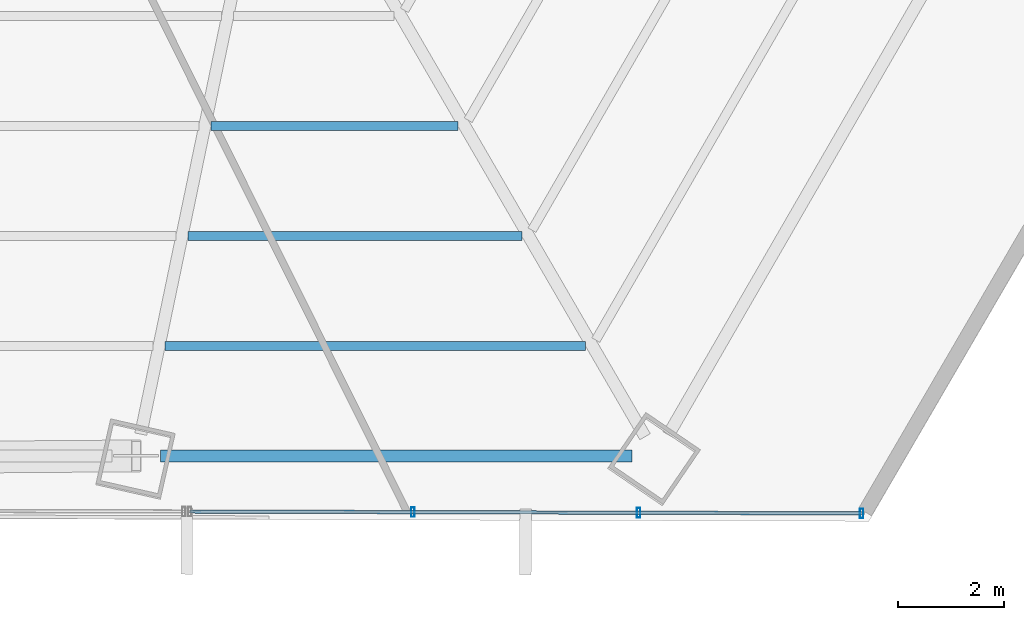
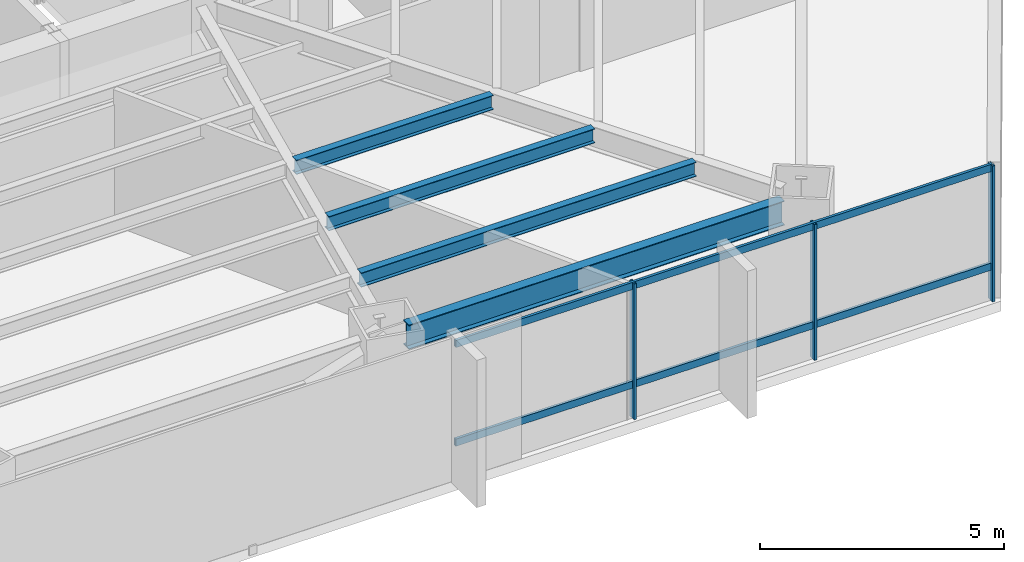
# One storey, part 12 of 29: 5 members, 4 beams, 1 element without a shape of its own.
"""IFC4 building model written with IfcOpenShell, lengths in metres."""

from ifc_helpers import new_model, si_unit, direction, frame, origin, origin_2d, place, context, subcontext, project, spatial, hollow_rectangle, i_section, extrude, source, transform, mapped, material, material_profile, profile_set, type_object, type_shapes, element, aggregate, save


model = new_model("IFC4")

# Units and contexts
model_context = context("Model", 3, precision=1e-05, world=origin(), true_north=direction((0.0, 1.0)))
body_context = subcontext(model_context, "Body", "Model", "MODEL_VIEW")
ifc_project = project(units=[si_unit("LENGTHUNIT", "METRE"), si_unit("AREAUNIT", "SQUARE_METRE"), si_unit("VOLUMEUNIT", "CUBIC_METRE"), si_unit("PLANEANGLEUNIT", "RADIAN"), si_unit("MASSUNIT", "GRAM", prefix="KILO")], contexts=[model_context])

# Site, building, storey
site_placement = place(None, origin())
site = spatial("IfcSite", under=ifc_project, at=site_placement, CompositionType="ELEMENT")
building_placement = place(site_placement, origin())
building = spatial("IfcBuilding", under=site, at=building_placement, Name="Caelisora Broadcast Tower", CompositionType="ELEMENT")
storey_placement = place(building_placement, frame((0.0, 0.0, 31.25)))
storey = spatial("IfcBuildingStorey", under=building, at=storey_placement, Name="L07", CompositionType="ELEMENT", Elevation=31.25)

# Beams
ifc_material_1 = material(Name="Steel Grade 350 (AS/NZS 3679.1)", Category="steel")
ifc_material_profile_1 = material_profile(ifc_material_1, i_section(OverallWidth=0.22900390625, OverallDepth=0.611572265625, WebThickness=0.011962890625, FlangeThickness=0.01953125, at=origin_2d()), Name="Steel Grade 350 (AS/NZS 3679.1)")
ifc_profile_set_1 = profile_set([ifc_material_profile_1], Name="Steel Grade 350 (AS/NZS 3679.1)")
beam_type_1 = type_object("IfcBeamType", Name="PG03", PredefinedType="BEAM", material=ifc_profile_set_1)
shared_shape_1 = source(origin(), body_context, "Body", "SweptSolid", [
    extrude(i_section(OverallWidth=0.22900390625, OverallDepth=0.611572265625, WebThickness=0.011962890625, FlangeThickness=0.01953125, at=origin_2d()), origin(), (0.0, 0.0, 1.0), 8.900634765625),
])
type_shapes(beam_type_1, [shared_shape_1])
beam_1_placement = place(storey_placement, frame((43.3701171875, 4.944580078125, 3.09423828125), z_axis=(1.0, 0.0, 0.0), x_axis=(0.0, 1.0, 0.0)))
element("IfcBeam", 1, at=beam_1_placement, inside=storey, type_object=beam_type_1, Name="L07 beam PG03", PredefinedType="BEAM", context=body_context, shape_type="MappedRepresentation", body=[
    mapped(shared_shape_1, transform((0.0, 0.0, 0.0), scale=1.0)),
])
ifc_material_profile_2 = material_profile(ifc_material_1, i_section(OverallWidth=0.172119140625, OverallDepth=0.358642578125, WebThickness=0.008056640625, FlangeThickness=0.012939453125, at=origin_2d()), Name="Steel Grade 350 (AS/NZS 3679.1)")
ifc_profile_set_2 = profile_set([ifc_material_profile_2], Name="Steel Grade 350 (AS/NZS 3679.1)")
beam_type_2 = type_object("IfcBeamType", Name="SB02", PredefinedType="JOIST", material=ifc_profile_set_2)
shared_shape_2 = source(origin(), body_context, "Body", "SweptSolid", [
    extrude(i_section(OverallWidth=0.172119140625, OverallDepth=0.358642578125, WebThickness=0.008056640625, FlangeThickness=0.012939453125, at=origin_2d()), origin(), (0.0, 0.0, 1.0), 4.66796875),
])
beam_2_placement = place(storey_placement, frame((44.318603515625, 11.17236328125, 3.220703125), z_axis=(1.0, 0.0, 0.0), x_axis=(0.0, 1.0, 0.0)))
element("IfcBeam", 2, at=beam_2_placement, inside=storey, type_object=beam_type_2, Name="L07 beam SB02", PredefinedType="JOIST", context=body_context, shape_type="MappedRepresentation", body=[
    mapped(shared_shape_2, transform((0.0, 0.0, 0.0), scale=1.0)),
])
shared_shape_3 = source(origin(), body_context, "Body", "SweptSolid", [
    extrude(i_section(OverallWidth=0.172119140625, OverallDepth=0.358642578125, WebThickness=0.008056640625, FlangeThickness=0.012939453125, at=origin_2d()), origin(), (0.0, 0.0, 1.0), 6.3046875),
])
beam_3_placement = place(storey_placement, frame((43.886962890625, 9.096435546875, 3.220703125), z_axis=(1.0, 0.0, 0.0), x_axis=(0.0, 1.0, 0.0)))
element("IfcBeam", 3, at=beam_3_placement, inside=storey, type_object=beam_type_2, Name="L07 beam SB02", PredefinedType="JOIST", context=body_context, shape_type="MappedRepresentation", body=[
    mapped(shared_shape_3, transform((0.0, 0.0, 0.0), scale=1.0)),
])
shared_shape_4 = source(origin(), body_context, "Body", "SweptSolid", [
    extrude(i_section(OverallWidth=0.172119140625, OverallDepth=0.358642578125, WebThickness=0.008056640625, FlangeThickness=0.012939453125, at=origin_2d()), origin(), (0.0, 0.0, 1.0), 7.941650390625),
])
type_shapes(beam_type_2, [shared_shape_2, shared_shape_3, shared_shape_4])
beam_4_placement = place(storey_placement, frame((43.455078125, 7.0205078125, 3.220703125), z_axis=(1.0, 0.0, 0.0), x_axis=(0.0, 1.0, 0.0)))
element("IfcBeam", 4, at=beam_4_placement, inside=storey, type_object=beam_type_2, Name="L07 beam SB02", PredefinedType="JOIST", context=body_context, shape_type="MappedRepresentation", body=[
    mapped(shared_shape_4, transform((0.0, 0.0, 0.0), scale=1.0)),
])

# Curtain wall, members
ifc_material_2 = material(Name="Unitised Aluminium and Low-E Glass Curtain Wall", Category="glass")
curtain_wall_type = type_object("IfcCurtainWallType", Name="CW-Z1", PredefinedType="NOTDEFINED", material=ifc_material_2)
curtain_wall_placement = place(storey_placement, origin())
curtain_wall = element("IfcCurtainWall", 5, at=curtain_wall_placement, inside=storey, type_object=curtain_wall_type, Name="L07 curtain wall CW-Z1", PredefinedType="NOTDEFINED")
ifc_material_3 = material(Name="Aluminium 6063-T6 Anodised Terracotta Bronze", Category="aluminium")
ifc_material_profile_3 = material_profile(ifc_material_3, hollow_rectangle(XDim=0.06494140625, YDim=0.179931640625, WallThickness=0.00341796875, at=origin_2d()), Name="Aluminium 6063-T6 Anodised Terracotta Bronze")
ifc_profile_set_3 = profile_set([ifc_material_profile_3], Name="Aluminium 6063-T6 Anodised Terracotta Bronze")
member_type_1 = type_object("IfcMemberType", Name="CWM-02", PredefinedType="MULLION", material=ifc_profile_set_3)
shared_shape_5 = source(origin(), body_context, "Body", "SweptSolid", [
    extrude(hollow_rectangle(XDim=0.06494140625, YDim=0.179931640625, WallThickness=0.00341796875, at=origin_2d()), origin(), (0.0, 0.0, 1.0), 3.39990234375),
])
type_shapes(member_type_1, [shared_shape_5])
member_1_placement = place(storey_placement, frame((56.611083984375, 3.859130859375, 0.0), z_axis=(0.0, 0.0, 1.0), x_axis=(1.0, 0.0, 0.0)))
member_1 = element("IfcMember", 6, at=member_1_placement, type_object=member_type_1, Name="L07-CW-B05 mullion #0", PredefinedType="MULLION", context=body_context, shape_type="MappedRepresentation", body=[
    mapped(shared_shape_5, transform((0.0, 0.0, 0.0), scale=1.0)),
])
member_2_placement = place(storey_placement, frame((52.397705078125, 3.87060546875, 0.0), z_axis=(0.0, 0.0, 1.0), x_axis=(1.0, 0.0, 0.0)))
member_2 = element("IfcMember", 7, at=member_2_placement, type_object=member_type_1, Name="L07-CW-B05 mullion #1", PredefinedType="MULLION", context=body_context, shape_type="MappedRepresentation", body=[
    mapped(shared_shape_5, transform((0.0, 0.0, 0.0), scale=1.0)),
])
member_3_placement = place(storey_placement, frame((48.134521484375, 3.882568359375, 0.0), z_axis=(0.0, 0.0, 1.0), x_axis=(1.0, 0.0, 0.0)))
member_3 = element("IfcMember", 8, at=member_3_placement, type_object=member_type_1, Name="L07-CW-B05 mullion #2", PredefinedType="MULLION", context=body_context, shape_type="MappedRepresentation", body=[
    mapped(shared_shape_5, transform((0.0, 0.0, 0.0), scale=1.0)),
])
ifc_material_profile_4 = material_profile(ifc_material_3, hollow_rectangle(XDim=0.06494140625, YDim=0.179931640625, WallThickness=0.00341796875, at=origin_2d()), Name="Aluminium 6063-T6 Anodised Terracotta Bronze")
ifc_profile_set_4 = profile_set([ifc_material_profile_4], Name="Aluminium 6063-T6 Anodised Terracotta Bronze")
member_type_2 = type_object("IfcMemberType", Name="CWT-01", PredefinedType="USERDEFINED", material=ifc_profile_set_4)
shared_shape_6 = source(origin(), body_context, "Body", "SweptSolid", [
    extrude(hollow_rectangle(XDim=0.06494140625, YDim=0.179931640625, WallThickness=0.00341796875, at=origin_2d()), origin(), (0.0, 0.0, 1.0), 12.68994140625),
])
type_shapes(member_type_2, [shared_shape_6])
member_4_placement = place(storey_placement, frame((56.611083984375, 3.859130859375, 0.85009765625), z_axis=(-0.99999621557, 0.002751153542, 0.0), x_axis=(-0.002751153542, -0.99999621557, 0.0)))
member_4 = element("IfcMember", 9, at=member_4_placement, type_object=member_type_2, Name="L07-CW-B05 transom #1", ObjectType="TRANSOM", PredefinedType="USERDEFINED", context=body_context, shape_type="MappedRepresentation", body=[
    mapped(shared_shape_6, transform((0.0, 0.0, 0.0), scale=1.0)),
])
member_5_placement = place(storey_placement, frame((56.611083984375, 3.859130859375, 3.320068359375), z_axis=(-0.99999621557, 0.002751153542, 0.0), x_axis=(-0.002751153542, -0.99999621557, 0.0)))
member_5 = element("IfcMember", 10, at=member_5_placement, type_object=member_type_2, Name="L07-CW-B05 transom #2", ObjectType="TRANSOM", PredefinedType="USERDEFINED", context=body_context, shape_type="MappedRepresentation", body=[
    mapped(shared_shape_6, transform((0.0, 0.0, 0.0), scale=1.0)),
])
aggregate(curtain_wall, [member_1, member_2, member_3, member_4, member_5])

save(model, "model.ifc")
